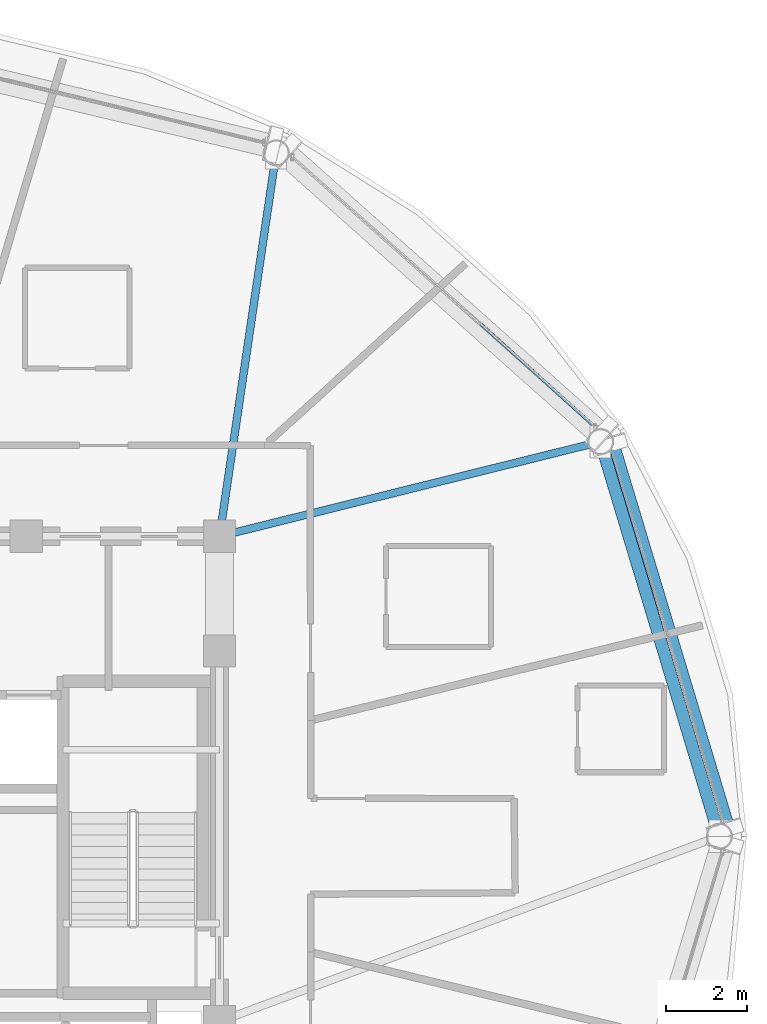
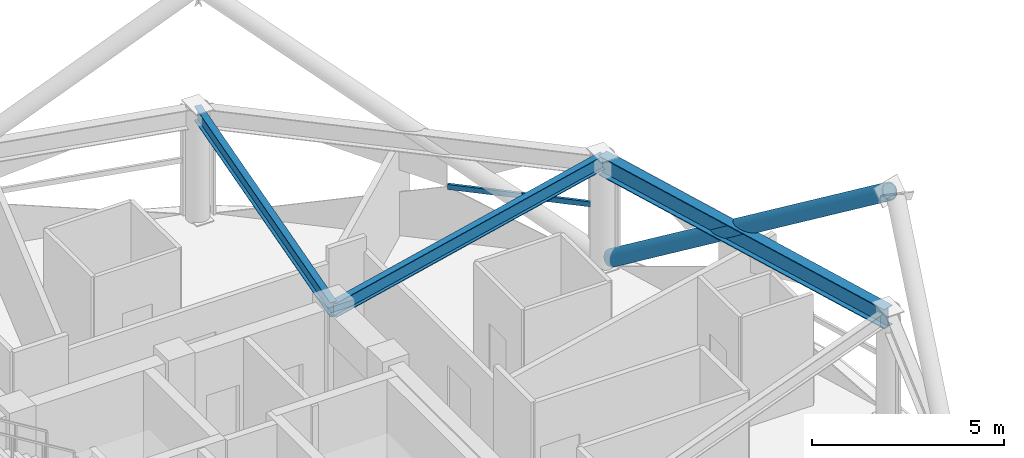
# One storey, part 14 of 29: 3 beams, 2 members, 1 element without a shape of its own.
"""IFC4 building model written with IfcOpenShell, lengths in metres."""

import ifcopenshell
import ifcopenshell.guid

model = None  # the IFC model being written
_history = None  # IfcOwnerHistory: only IFC2X3 demands one
_inside = {}  # id of a spatial element -> (the spatial element, [elements in it])
_under = {}  # id of a project, library or spatial element -> (it, [spatial elements below it])
_declared = {}  # id of a project -> (the project, [libraries it declares])
_typed = {}  # id of a type object -> (the type object, [elements of that type])
_made_of = {}  # id of a material, layer set ... -> (it, [elements and type objects made of it])


def new_model(schema):
    """Start an empty IFC model of exactly this schema.

    Asked for "IFC4X3", IfcOpenShell would pick the latest addendum, in which some entities
    have other attributes; the version numbers below select the first issue.
    IFC2X3 requires an IfcOwnerHistory on every rooted entity: one is made here for all.
    """
    global model, _history
    if schema == "IFC4X3":
        model = ifcopenshell.file(schema_version=(4, 3, 0, 0))
    else:
        model = ifcopenshell.file(schema=schema)
    _inside.clear()
    _under.clear()
    _declared.clear()
    _typed.clear()
    _made_of.clear()
    _history = None
    if model.schema == "IFC2X3":
        org = make("IfcOrganization", Name="unknown")
        user = make(
            "IfcPersonAndOrganization",
            ThePerson=make("IfcPerson", FamilyName="unknown"),
            TheOrganization=org,
        )
        app = make(
            "IfcApplication",
            ApplicationDeveloper=org,
            Version="unknown",
            ApplicationFullName="unknown",
            ApplicationIdentifier="unknown",
        )
        _history = make(
            "IfcOwnerHistory",
            OwningUser=user,
            OwningApplication=app,
            ChangeAction="ADDED",
            CreationDate=0,
        )
    return model


def make(cls, **values):
    """One entity of the class cls with the attributes given. An attribute that is None is left unset."""
    return model.create_entity(
        cls, **{name: value for name, value in values.items() if value is not None}
    )


def rooted(cls, **values):
    """An entity with a GlobalId (a new one), such as an element, a storey or a relation."""
    return make(cls, GlobalId=ifcopenshell.guid.new(), OwnerHistory=_history, **values)


def si_unit(unit_type, name, prefix=None):
    """IfcSIUnit, for example si_unit("LENGTHUNIT", "METRE", prefix="MILLI")."""
    return make("IfcSIUnit", UnitType=unit_type, Prefix=prefix, Name=name)


def assignment(units):
    """IfcUnitAssignment: the units of a project."""
    return None if units is None else make("IfcUnitAssignment", Units=units)


def point(xyz):
    """IfcCartesianPoint."""
    return None if xyz is None else make("IfcCartesianPoint", Coordinates=xyz)


def direction(xyz):
    """IfcDirection."""
    return None if xyz is None else make("IfcDirection", DirectionRatios=xyz)


def frame(location, z_axis=None, x_axis=None):
    """IfcAxis2Placement3D, a coordinate frame: its origin and axes. An axis left out is left unset."""
    return make(
        "IfcAxis2Placement3D",
        Location=point(location),
        Axis=direction(z_axis),
        RefDirection=direction(x_axis),
    )


def frame_2d(location, x_axis=None):
    """IfcAxis2Placement2D, a coordinate frame in the plane: its origin and x axis."""
    return make(
        "IfcAxis2Placement2D", Location=point(location), RefDirection=direction(x_axis)
    )


def origin():
    """The frame at (0, 0, 0) with its axes left unset."""
    return frame((0.0, 0.0, 0.0))


def origin_2d():
    """The frame at (0, 0) in the plane with its x axis left unset."""
    return frame_2d((0.0, 0.0))


def place(relative_to, where):
    """IfcLocalPlacement: puts the frame where relative to a parent placement (None: the world)."""
    return make(
        "IfcLocalPlacement", PlacementRelTo=relative_to, RelativePlacement=where
    )


def context(
    kind, dimensions, precision=None, world=None, true_north=None, identifier=None
):
    """IfcGeometricRepresentationContext, for example the 3D "Model" context."""
    return make(
        "IfcGeometricRepresentationContext",
        ContextIdentifier=identifier,
        ContextType=kind,
        CoordinateSpaceDimension=dimensions,
        Precision=precision,
        WorldCoordinateSystem=world,
        TrueNorth=true_north,
    )


def subcontext(parent, identifier, kind, view, scale=None):
    """IfcGeometricRepresentationSubContext, for example "Body" below "Model"."""
    return make(
        "IfcGeometricRepresentationSubContext",
        ContextIdentifier=identifier,
        ContextType=kind,
        ParentContext=parent,
        TargetScale=scale,
        TargetView=view,
    )


def project(units=None, contexts=None):
    """IfcProject with its units and contexts."""
    return rooted(
        "IfcProject",
        Name="project",
        RepresentationContexts=contexts,
        UnitsInContext=assignment(units),
    )


def spatial(cls, under=None, at=None, **own):
    """A site, building, storey or space (cls), placed at a placement, below another one or the project."""
    s = rooted(cls, ObjectPlacement=at, **own)
    if under is not None:
        _under.setdefault(under.id(), (under, []))[1].append(s)
    return s


def profile(cls, at=None, kind="AREA", **sizes):
    """A parametric profile (cls). Its sizes go by their IFC names, for example OverallWidth=200.0."""
    return make(cls, ProfileType=kind, Position=at, **sizes)


def hollow_rectangle(**sizes):
    """IfcRectangleHollowProfileDef."""
    return profile("IfcRectangleHollowProfileDef", **sizes)


def hollow_circle(**sizes):
    """IfcCircleHollowProfileDef."""
    return profile("IfcCircleHollowProfileDef", **sizes)


def i_section(**sizes):
    """IfcIShapeProfileDef."""
    return profile("IfcIShapeProfileDef", **sizes)


def extrude(swept, where, along, depth):
    """IfcExtrudedAreaSolid: the profile swept, set in the frame where, extruded along a direction by depth."""
    return make(
        "IfcExtrudedAreaSolid",
        SweptArea=swept,
        Position=where,
        ExtrudedDirection=direction(along),
        Depth=depth,
    )


def shape(context_of_items, identifier, shape_type, items):
    """IfcShapeRepresentation: the items that make up one representation, for example the "Body"."""
    return make(
        "IfcShapeRepresentation",
        ContextOfItems=context_of_items,
        RepresentationIdentifier=identifier,
        RepresentationType=shape_type,
        Items=items,
    )


def material(Name=None, Category=None):
    """IfcMaterial."""
    return make("IfcMaterial", Name=Name, Category=Category)


def layer(
    of_material, thickness, ventilated=None, Name=None, Category=None, Priority=None
):
    """IfcMaterialLayer: one layer of a wall or slab, of a material (None: an air gap)."""
    return make(
        "IfcMaterialLayer",
        Material=of_material,
        LayerThickness=thickness,
        IsVentilated=ventilated,
        Name=Name,
        Category=Category,
        Priority=Priority,
    )


def layer_set(layers, Name=None):
    """IfcMaterialLayerSet."""
    return make("IfcMaterialLayerSet", MaterialLayers=layers, LayerSetName=Name)


def material_profile(
    of_material, cross_section, Name=None, Category=None, Priority=None
):
    """IfcMaterialProfile: a cross section and its material."""
    return make(
        "IfcMaterialProfile",
        Name=Name,
        Material=of_material,
        Profile=cross_section,
        Priority=Priority,
        Category=Category,
    )


def profile_set(profiles, Name=None, composite=None):
    """IfcMaterialProfileSet."""
    return make(
        "IfcMaterialProfileSet",
        Name=Name,
        MaterialProfiles=profiles,
        CompositeProfile=composite,
    )


def made_of(thing, what):
    """Note that an element or type object is made of a material, layer set ...; save() writes the relation."""
    if what is not None:
        _made_of.setdefault(what.id(), (what, []))[1].append(thing)
    return thing


def type_object(cls, material=None, **own):
    """A type object (cls), such as IfcWallType, which elements share."""
    return made_of(rooted(cls, **own), material)


def element(
    cls,
    number,
    at=None,
    inside=None,
    cuts=None,
    type_object=None,
    material=None,
    context=None,
    identifier="Body",
    shape_type=None,
    held_by="IfcProductDefinitionShape",
    body=None,
    shapes=None,
    **own,
):
    """One element of the class cls, such as IfcWall. Its Tag is "e" and its number.

    at: its placement. inside: the storey or other place that contains it. cuts: it is an
    opening in that element (IfcRelVoidsElement). A single representation is given by context,
    identifier, shape_type and body (its items); several are given by shapes. held_by: the class
    of the entity that holds the representations. save() writes the other relations.
    """
    e = rooted(cls, Tag="e%d" % number, ObjectPlacement=at, **own)
    if body is not None:
        shapes = [shape(context, identifier, shape_type, body)]
    if shapes is not None:
        e.Representation = make(held_by, Representations=shapes)
    if inside is not None:
        _inside.setdefault(inside.id(), (inside, []))[1].append(e)
    if cuts is not None:
        rooted(
            "IfcRelVoidsElement", RelatingBuildingElement=cuts, RelatedOpeningElement=e
        )
    if type_object is not None:
        _typed.setdefault(type_object.id(), (type_object, []))[1].append(e)
    return made_of(e, material)


def aggregate(whole, parts):
    """IfcRelAggregates: a whole, such as a stair, and the parts it consists of."""
    return rooted("IfcRelAggregates", RelatingObject=whole, RelatedObjects=parts)


def save(model, path):
    """Write the relations noted so far, then the file.

    IfcRelAggregates (storeys below a building ...), IfcRelContainedInSpatialStructure (elements
    in a storey), IfcRelDefinesByType, IfcRelAssociatesMaterial and IfcRelDeclares: one each for
    every whole, place, type object, material and project.
    """
    for whole, parts in _under.values():
        aggregate(whole, parts)
    for where, things in _inside.values():
        rooted(
            "IfcRelContainedInSpatialStructure",
            RelatedElements=things,
            RelatingStructure=where,
        )
    for kind, things in _typed.values():
        rooted("IfcRelDefinesByType", RelatedObjects=things, RelatingType=kind)
    for what, things in _made_of.values():
        rooted("IfcRelAssociatesMaterial", RelatedObjects=things, RelatingMaterial=what)
    for by, libraries in _declared.values():
        rooted("IfcRelDeclares", RelatingContext=by, RelatedDefinitions=libraries)
    model.write(path)


model = new_model("IFC4")

# Units and contexts
model_context = context("Model", 3, precision=1e-05, world=origin(), true_north=direction((0.0, 1.0)))
body_context = subcontext(model_context, "Body", "Model", "MODEL_VIEW")
ifc_project = project(units=[si_unit("LENGTHUNIT", "METRE"), si_unit("AREAUNIT", "SQUARE_METRE"), si_unit("VOLUMEUNIT", "CUBIC_METRE"), si_unit("PLANEANGLEUNIT", "RADIAN"), si_unit("MASSUNIT", "GRAM", prefix="KILO")], contexts=[model_context])

# Site, building, storey
site_placement = place(None, origin())
site = spatial("IfcSite", under=ifc_project, at=site_placement, CompositionType="ELEMENT")
building_placement = place(site_placement, origin())
building = spatial("IfcBuilding", under=site, at=building_placement, Name="Vantalir Tower", CompositionType="ELEMENT")
storey_placement = place(building_placement, frame((0.0, 0.0, 219.89990234375)))
storey = spatial("IfcBuildingStorey", under=building, at=storey_placement, Name="L55", CompositionType="ELEMENT", Elevation=219.89990234375)

# Beams
ifc_material_1 = material(Name="Steel S355", Category="steel")
ifc_material_profile_1 = material_profile(ifc_material_1, i_section(OverallWidth=0.19189453125, OverallDepth=0.462890625, WebThickness=0.010498046875, FlangeThickness=0.017578125, at=origin_2d()), Name="Steel S355")
ifc_profile_set_1 = profile_set([ifc_material_profile_1], Name="Steel S355")
beam_type_1 = type_object("IfcBeamType", Name="BM-RB-457x191", PredefinedType="BEAM", material=ifc_profile_set_1)
beam_1_placement = place(storey_placement, frame((50.56396484375, 34.798095703125, 3.338134765625), z_axis=(-0.970571038556, -0.240814989393, 0.0), x_axis=(0.240814989393, -0.970571038556, 0.0)))
element("IfcBeam", 1, at=beam_1_placement, inside=storey, type_object=beam_type_1, Name="L55 Radial Floor Beam 02", PredefinedType="BEAM", context=body_context, shape_type="SweptSolid", body=[
    extrude(i_section(OverallWidth=0.19189453125, OverallDepth=0.462890625, WebThickness=0.010498046875, FlangeThickness=0.017578125, at=origin_2d()), origin(), (0.0, 0.0, 1.0), 9.750732421875),
])
beam_2_placement = place(storey_placement, frame((42.506103515625, 41.970947265625, 3.338134765625), z_axis=(-0.146089890003, -0.989271319729, 0.0), x_axis=(0.989271319729, -0.146089890003, 0.0)))
element("IfcBeam", 2, at=beam_2_placement, inside=storey, type_object=beam_type_1, Name="L55 Radial Floor Beam 03", PredefinedType="BEAM", context=body_context, shape_type="SweptSolid", body=[
    extrude(i_section(OverallWidth=0.19189453125, OverallDepth=0.462890625, WebThickness=0.010498046875, FlangeThickness=0.017578125, at=origin_2d()), origin(), (0.0, 0.0, 1.0), 9.624267578125),
])
ifc_material_2 = material(Name="Steel S460", Category="steel")
ifc_material_profile_2 = material_profile(ifc_material_2, i_section(OverallWidth=0.306884765625, OverallDepth=0.6201171875, WebThickness=0.01416015625, FlangeThickness=0.023681640625, at=origin_2d()), Name="Steel S460")
ifc_profile_set_2 = profile_set([ifc_material_profile_2], Name="Steel S460")
beam_type_2 = type_object("IfcBeamType", Name="BM-RG-610x305", PredefinedType="USERDEFINED", material=ifc_profile_set_2)
beam_3_placement = place(storey_placement, frame((53.512939453125, 25.0, 3.260009765625), z_axis=(-0.288203662464, 0.957569135333, 0.0), x_axis=(-0.957569135333, -0.288203662464, 0.0)))
element("IfcBeam", 3, at=beam_3_placement, inside=storey, type_object=beam_type_2, Name="L55 Circumferential Ring Girder 01", ObjectType="GIRDER", PredefinedType="USERDEFINED", context=body_context, shape_type="SweptSolid", body=[
    extrude(i_section(OverallWidth=0.306884765625, OverallDepth=0.6201171875, WebThickness=0.01416015625, FlangeThickness=0.023681640625, at=origin_2d()), origin(), (0.0, 0.0, 1.0), 10.232177734375),
])

# Curtain wall, member
ifc_material_3 = material(Name="Champagne-silver PVDF aluminium and double-silver Low-E glass", Category="aluminium")
ifc_layer = layer(ifc_material_3, 0.2099609375)
ifc_layer_set = layer_set([ifc_layer], Name="Champagne-silver PVDF aluminium and double-silver Low-E glass")
curtain_wall_type = type_object("IfcCurtainWallType", Name="CW-DIAMOND-Z3", PredefinedType="USERDEFINED", material=ifc_layer_set)
curtain_wall_placement = place(storey_placement, origin())
curtain_wall = element("IfcCurtainWall", 4, at=curtain_wall_placement, inside=storey, type_object=curtain_wall_type, Name="L55 Quilted Pyramid-Diamond Curtain Wall S02", ObjectType="UNITISED CURTAIN WALL", PredefinedType="USERDEFINED")
ifc_material_4 = material(Name="Champagne-silver PVDF aluminium 6063-T6", Category="aluminium")
ifc_material_profile_3 = material_profile(ifc_material_4, hollow_rectangle(XDim=0.074951171875, YDim=0.159912109375, WallThickness=0.00390625, at=origin_2d()), Name="Champagne-silver PVDF aluminium 6063-T6")
ifc_profile_set_3 = profile_set([ifc_material_profile_3], Name="Champagne-silver PVDF aluminium 6063-T6")
member_type_1 = type_object("IfcMemberType", Name="CWT-160x75", PredefinedType="USERDEFINED", material=ifc_profile_set_3)
member_1_placement = place(storey_placement, frame((50.422119140625, 35.166015625, 1.78515625), z_axis=(-0.742559753379, 0.669779824018, 0.0), x_axis=(-0.669779824018, -0.742559753379, 0.0)))
member_1 = element("IfcMember", 5, at=member_1_placement, type_object=member_type_1, Name="CW-L55-S02 Pyramid Fold Ridge Transom", ObjectType="TRANSOM", PredefinedType="USERDEFINED", context=body_context, shape_type="SweptSolid", body=[
    extrude(hollow_rectangle(XDim=0.074951171875, YDim=0.159912109375, WallThickness=0.00390625, at=origin_2d()), origin(), (0.0, 0.0, 1.0), 3.82080078125),
])
aggregate(curtain_wall, [member_1])

# Member
ifc_material_profile_4 = material_profile(ifc_material_2, hollow_circle(Radius=0.25, WallThickness=0.031982421875, at=origin_2d()), Name="Steel S460")
ifc_profile_set_4 = profile_set([ifc_material_profile_4], Name="Steel S460")
member_type_2 = type_object("IfcMemberType", Name="MEM-DB-500x32", PredefinedType="BRACE", material=ifc_profile_set_4)
member_2_placement = place(storey_placement, frame((50.780029296875, 34.719970703125, 0.205078125), z_axis=(0.236677859602, -0.787061061476, 0.569665231765), x_axis=(0.957638702943, 0.287972419904, 0.0)))
element("IfcMember", 6, at=member_2_placement, inside=storey, type_object=member_type_2, Name="L55 Perimeter S460 Diagrid Brace R04R", PredefinedType="BRACE", context=body_context, shape_type="SweptSolid", body=[
    extrude(hollow_circle(Radius=0.25, WallThickness=0.031982421875, at=origin_2d()), origin(), (0.0, 0.0, 1.0), 12.1298828125),
])

save(model, "model.ifc")
